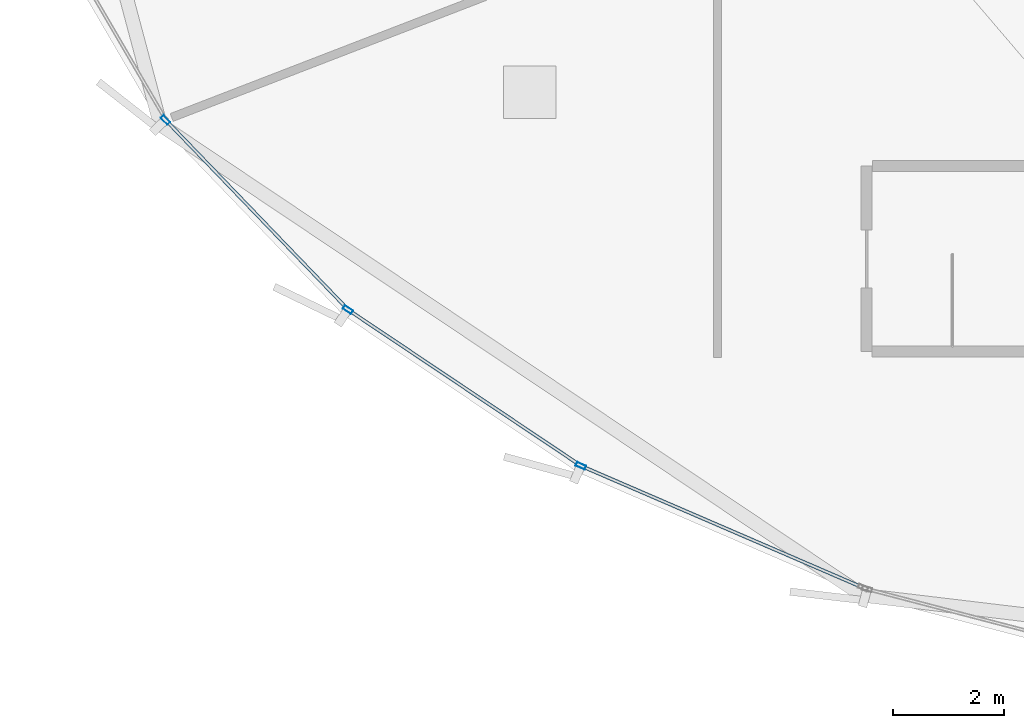
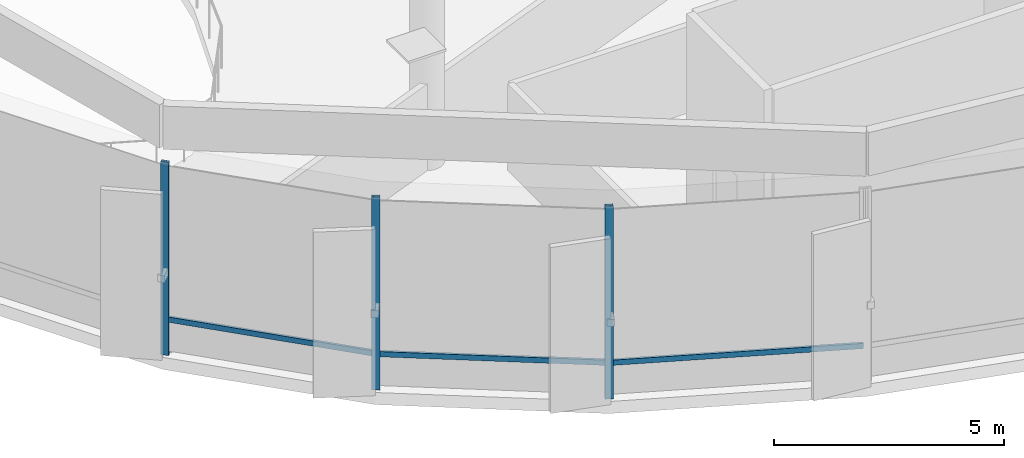
# One storey, part 2 of 36: 6 members, 1 element without a shape of its own.
"""IFC4 building model written with IfcOpenShell, lengths in metres."""

from ifc_helpers import new_model, si_unit, direction, frame, origin, origin_2d, place, context, subcontext, project, spatial, hollow_rectangle, extrude, source, transform, mapped, material, layer, layer_set, material_profile, profile_set, type_object, element, aggregate, save


model = new_model("IFC4")

# Units and contexts
model_context = context("Model", 3, precision=1e-05, world=origin(), true_north=direction((0.0, 1.0)))
body_context = subcontext(model_context, "Body", "Model", "MODEL_VIEW")
ifc_project = project(units=[si_unit("LENGTHUNIT", "METRE"), si_unit("AREAUNIT", "SQUARE_METRE"), si_unit("VOLUMEUNIT", "CUBIC_METRE"), si_unit("PLANEANGLEUNIT", "RADIAN"), si_unit("MASSUNIT", "GRAM", prefix="KILO"), si_unit("THERMODYNAMICTEMPERATUREUNIT", "KELVIN")], contexts=[model_context])

# Site, building, storey
site_placement = place(None, origin())
site = spatial("IfcSite", under=ifc_project, at=site_placement, CompositionType="ELEMENT")
building_placement = place(site_placement, origin())
building = spatial("IfcBuilding", under=site, at=building_placement, Name="Kethvar Cultural Tower", CompositionType="ELEMENT")
storey_placement = place(building_placement, frame((0.0, 0.0, 24.0)))
storey = spatial("IfcBuildingStorey", under=building, at=storey_placement, Name="L05", CompositionType="ELEMENT", Elevation=24.0)

# Curtain wall, members
ifc_material = material(Name="Aluminium 6063-T6", Category="aluminium")
ifc_layer = layer(ifc_material, 0.179931640625, Name="Aluminium 6063-T6", Category="aluminium")
ifc_layer_set = layer_set([ifc_layer], Name="Aluminium 6063-T6 (180 mm)")
curtain_wall_type = type_object("IfcCurtainWallType", Name="CW-SYS-01-POD", PredefinedType="NOTDEFINED", material=ifc_layer_set)
curtain_wall_placement = place(storey_placement, origin())
curtain_wall = element("IfcCurtainWall", 1, at=curtain_wall_placement, inside=storey, type_object=curtain_wall_type, Name="L05 Curtain Wall Run 04", PredefinedType="NOTDEFINED")
ifc_material_profile_1 = material_profile(ifc_material, hollow_rectangle(XDim=0.06005859375, YDim=0.139892578125, WallThickness=0.0048828125, at=origin_2d()), Name="Aluminium 6063-T6 — RHS140x60x5")
ifc_profile_set_1 = profile_set([ifc_material_profile_1], Name="Aluminium 6063-T6 — RHS140x60x5")
member_type_1 = type_object("IfcMemberType", Name="CW-SYS-01-POD-TRN", PredefinedType="USERDEFINED", material=ifc_profile_set_1)
shared_shape_1 = source(origin(), body_context, "Body", "SweptSolid", [
    extrude(hollow_rectangle(XDim=0.06005859375, YDim=0.139892578125, WallThickness=0.0048828125, at=origin_2d()), origin(), (0.0, 0.0, 1.0), 4.6826171875),
])
member_1_placement = place(storey_placement, frame((5.24658203125, 11.657470703125, 0.949951171875), z_axis=(0.693341040309, -0.72060960431, 0.0), x_axis=(0.72060960431, 0.693341040309, 0.0)))
member_1 = element("IfcMember", 2, at=member_1_placement, type_object=member_type_1, Name="CW-L05-R04 Transom 4", ObjectType="TRANSOM", PredefinedType="USERDEFINED", context=body_context, shape_type="MappedRepresentation", body=[
    mapped(shared_shape_1, transform((0.0, 0.0, 0.0), scale=1.0)),
])
shared_shape_2 = source(origin(), body_context, "Body", "SweptSolid", [
    extrude(hollow_rectangle(XDim=0.06005859375, YDim=0.139892578125, WallThickness=0.0048828125, at=origin_2d()), origin(), (0.0, 0.0, 1.0), 4.991455078125),
])
member_2_placement = place(storey_placement, frame((8.55419921875, 8.232177734375, 0.949951171875), z_axis=(0.830806616573, -0.556561196867, 0.0), x_axis=(0.556561196867, 0.830806616573, 0.0)))
member_2 = element("IfcMember", 3, at=member_2_placement, type_object=member_type_1, Name="CW-L05-R04 Transom 5", ObjectType="TRANSOM", PredefinedType="USERDEFINED", context=body_context, shape_type="MappedRepresentation", body=[
    mapped(shared_shape_2, transform((0.0, 0.0, 0.0), scale=1.0)),
])
shared_shape_3 = source(origin(), body_context, "Body", "SweptSolid", [
    extrude(hollow_rectangle(XDim=0.06005859375, YDim=0.139892578125, WallThickness=0.0048828125, at=origin_2d()), origin(), (0.0, 0.0, 1.0), 5.504638671875),
])
member_3_placement = place(storey_placement, frame((12.77490234375, 5.413818359375, 0.949951171875), z_axis=(0.918072625283, -0.39641222825, 0.0), x_axis=(0.39641222825, 0.918072625283, 0.0)))
member_3 = element("IfcMember", 4, at=member_3_placement, type_object=member_type_1, Name="CW-L05-R04 Transom 6", ObjectType="TRANSOM", PredefinedType="USERDEFINED", context=body_context, shape_type="MappedRepresentation", body=[
    mapped(shared_shape_3, transform((0.0, 0.0, 0.0), scale=1.0)),
])
ifc_material_profile_2 = material_profile(ifc_material, hollow_rectangle(XDim=0.074951171875, YDim=0.179931640625, WallThickness=0.006103515625, at=origin_2d()), Name="Aluminium 6063-T6 — RHS180x75x6")
ifc_profile_set_2 = profile_set([ifc_material_profile_2], Name="Aluminium 6063-T6 — RHS180x75x6")
member_type_2 = type_object("IfcMemberType", Name="CW-SYS-01-POD-MUL", PredefinedType="MULLION", material=ifc_profile_set_2)
shared_shape_4 = source(origin(), body_context, "Body", "SweptSolid", [
    extrude(hollow_rectangle(XDim=0.074951171875, YDim=0.179931640625, WallThickness=0.006103515625, at=origin_2d()), origin(), (0.0, 0.0, 1.0), 5.1201171875),
])
member_4_placement = place(storey_placement, frame((5.209228515625, 11.6962890625, 0.0), z_axis=(0.0, 0.0, 1.0), x_axis=(0.720611619661, 0.693338945689, 0.0)))
member_4 = element("IfcMember", 5, at=member_4_placement, type_object=member_type_2, Name="CW-L05-R04 Mullion 4", PredefinedType="MULLION", context=body_context, shape_type="MappedRepresentation", body=[
    mapped(shared_shape_4, transform((0.0, 0.0, 0.0), scale=1.0)),
])
member_5_placement = place(storey_placement, frame((8.50927734375, 8.26220703125, 0.0), z_axis=(0.0, 0.0, 1.0), x_axis=(0.556556649514, 0.830809662848, 0.0)))
member_5 = element("IfcMember", 6, at=member_5_placement, type_object=member_type_2, Name="CW-L05-R04 Mullion 5", PredefinedType="MULLION", context=body_context, shape_type="MappedRepresentation", body=[
    mapped(shared_shape_4, transform((0.0, 0.0, 0.0), scale=1.0)),
])
member_6_placement = place(storey_placement, frame((12.72509765625, 5.435302734375, 0.0), z_axis=(0.0, 0.0, 1.0), x_axis=(0.396410942082, 0.918073180633, 0.0)))
member_6 = element("IfcMember", 7, at=member_6_placement, type_object=member_type_2, Name="CW-L05-R04 Mullion 6", PredefinedType="MULLION", context=body_context, shape_type="MappedRepresentation", body=[
    mapped(shared_shape_4, transform((0.0, 0.0, 0.0), scale=1.0)),
])
aggregate(curtain_wall, [member_4, member_5, member_6, member_1, member_2, member_3])

save(model, "model.ifc")
